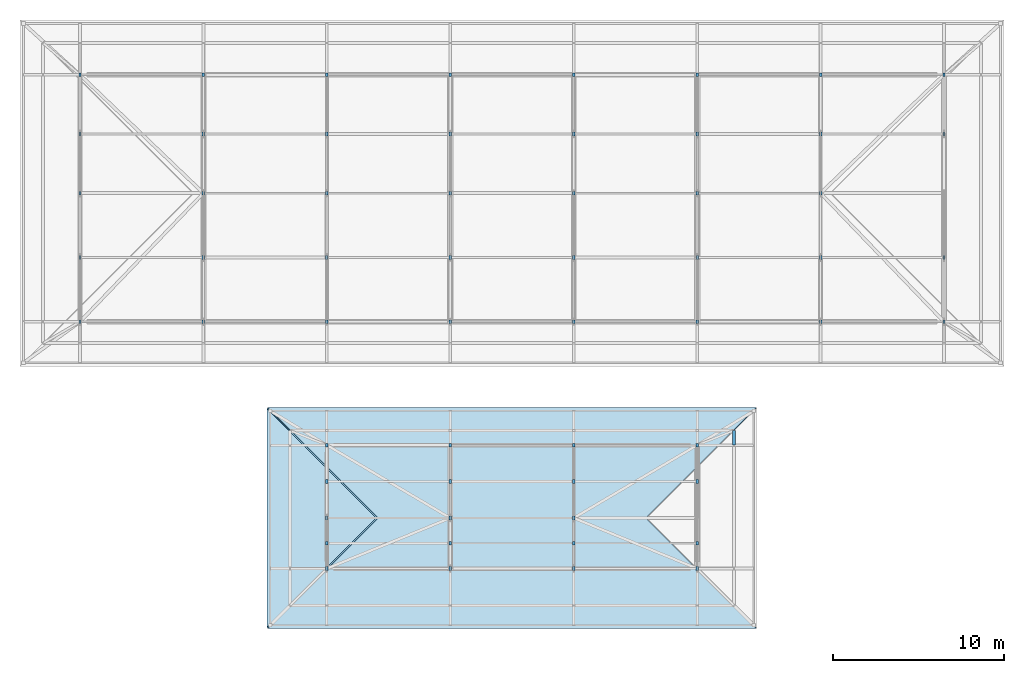
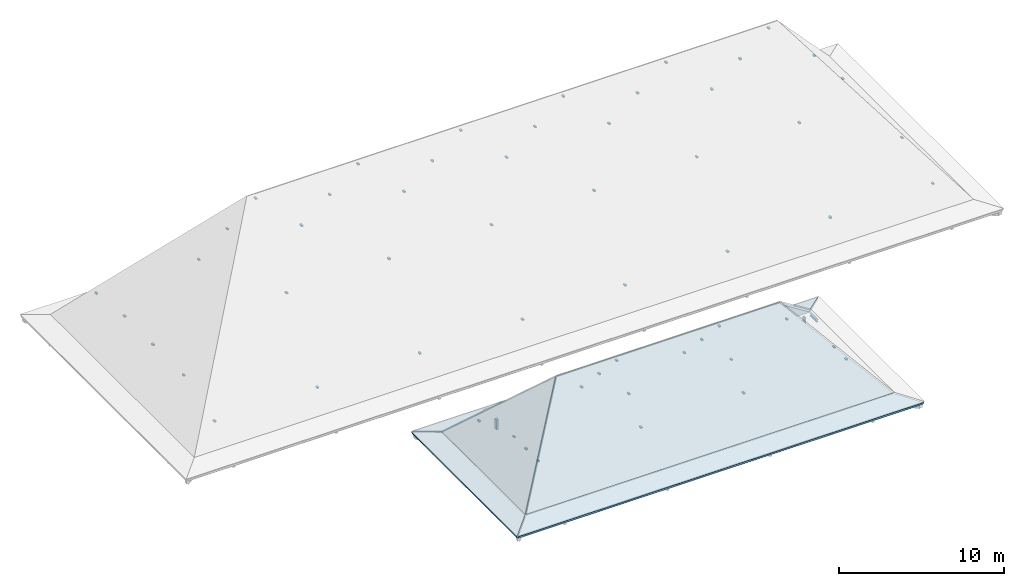
# One storey, part 7 of 12: 59 members, 6 slabs, 1 element without a shape of its own.
"""IFC4 building model written with IfcOpenShell, lengths in metres."""

from ifc_helpers import new_model, si_unit, direction, frame, origin, origin_2d, place, context, subcontext, project, spatial, polyline, rectangle, i_section, outline, extrude, material, layer, layer_set, material_profile, profile_set, type_object, element, aggregate, save


model = new_model("IFC4")

# Units and contexts
model_context = context("Model", 3, precision=1e-05, world=origin(), true_north=direction((0.0, 1.0)))
body_context = subcontext(model_context, "Body", "Model", "MODEL_VIEW")
ifc_project = project(units=[si_unit("LENGTHUNIT", "METRE"), si_unit("AREAUNIT", "SQUARE_METRE"), si_unit("VOLUMEUNIT", "CUBIC_METRE"), si_unit("PLANEANGLEUNIT", "RADIAN"), si_unit("MASSUNIT", "GRAM", prefix="KILO")], contexts=[model_context])

# Site, building, storey
site_placement = place(None, origin())
site = spatial("IfcSite", under=ifc_project, at=site_placement, CompositionType="ELEMENT")
building_placement = place(site_placement, origin())
building = spatial("IfcBuilding", under=site, at=building_placement, Name="Steenspoor Specialist Clinic", CompositionType="ELEMENT")
storey_placement = place(building_placement, frame((0.0, 0.0, 25.800048828125)))
storey = spatial("IfcBuildingStorey", under=building, at=storey_placement, Name="RF", CompositionType="ELEMENT", Elevation=25.800048828125)

# Members
ifc_material_1 = material(Name="Steel A992 Grade 50", Category="steel")
ifc_material_profile_1 = material_profile(ifc_material_1, i_section(OverallWidth=0.1650390625, OverallDepth=0.200927734375, WebThickness=0.006103515625, FlangeThickness=0.01025390625, at=origin_2d()), Name="W200X36")
ifc_profile_set_1 = profile_set([ifc_material_profile_1], Name="Steel A992 Grade 50")
member_type_1 = type_object("IfcMemberType", Name="MEM-PURLIN-W200", PredefinedType="PURLIN", material=ifc_profile_set_1)
member_1_placement = place(storey_placement, frame((97.75, 86.75, 0.01318359375), z_axis=(0.0, 1.0, 0.0), x_axis=(-1.0, 0.0, 0.0)))
element("IfcMember", 1, at=member_1_placement, inside=storey, type_object=member_type_1, Name="ROOF TRUSS Knuckle Purlin 393", PredefinedType="PURLIN", context=body_context, shape_type="SweptSolid", body=[
    extrude(i_section(OverallWidth=0.1650390625, OverallDepth=0.200927734375, WebThickness=0.006103515625, FlangeThickness=0.01025390625, at=origin_2d()), origin(), (0.0, 0.0, 1.0), 0.85009765625),
])
ifc_material_2 = material(Name="Glulam GL28h", Category="wood")
ifc_material_profile_2 = material_profile(ifc_material_2, rectangle(XDim=0.139892578125, YDim=0.219970703125, at=origin_2d()), Name="GL28H-140X220")
ifc_profile_set_2 = profile_set([ifc_material_profile_2], Name="Glulam GL28h")
member_type_2 = type_object("IfcMemberType", Name="MEM-RAFTER-GL220", PredefinedType="RAFTER", material=ifc_profile_set_2)
member_2_placement = place(storey_placement, frame((59.60009765625, 93.949951171875, 1.5439453125), z_axis=(0.0, 0.0, 1.0), x_axis=(1.0, 0.0, 0.0)))
element("IfcMember", 2, at=member_2_placement, inside=storey, type_object=member_type_2, Name="ROOF TRUSS Purlin Pack 323A", PredefinedType="RAFTER", context=body_context, shape_type="SweptSolid", body=[
    extrude(rectangle(XDim=0.139892578125, YDim=0.219970703125, at=origin_2d()), origin(), (0.0, 0.0, 1.0), 0.091064453125),
])
member_3_placement = place(storey_placement, frame((66.800048828125, 93.949951171875, 1.524658203125), z_axis=(0.0, 0.0, 1.0), x_axis=(1.0, 0.0, 0.0)))
element("IfcMember", 3, at=member_3_placement, inside=storey, type_object=member_type_2, Name="ROOF TRUSS Purlin Pack 323B", PredefinedType="RAFTER", context=body_context, shape_type="SweptSolid", body=[
    extrude(rectangle(XDim=0.139892578125, YDim=0.219970703125, at=origin_2d()), origin(), (0.0, 0.0, 1.0), 0.08935546875),
])
member_4_placement = place(storey_placement, frame((59.60009765625, 97.699951171875, 2.67822265625), z_axis=(0.0, 0.0, 1.0), x_axis=(1.0, 0.0, 0.0)))
element("IfcMember", 4, at=member_4_placement, inside=storey, type_object=member_type_2, Name="ROOF TRUSS Purlin Pack 324A", PredefinedType="RAFTER", context=body_context, shape_type="SweptSolid", body=[
    extrude(rectangle(XDim=0.139892578125, YDim=0.219970703125, at=origin_2d()), origin(), (0.0, 0.0, 1.0), 0.0947265625),
])
member_5_placement = place(storey_placement, frame((66.800048828125, 97.699951171875, 6.26611328125), z_axis=(0.0, 0.0, 1.0), x_axis=(1.0, 0.0, 0.0)))
element("IfcMember", 5, at=member_5_placement, inside=storey, type_object=member_type_2, Name="ROOF TRUSS Purlin Pack 324B", PredefinedType="RAFTER", context=body_context, shape_type="SweptSolid", body=[
    extrude(rectangle(XDim=0.139892578125, YDim=0.219970703125, at=origin_2d()), origin(), (0.0, 0.0, 1.0), 0.08544921875),
])
member_6_placement = place(storey_placement, frame((59.60009765625, 101.449951171875, 2.65771484375), z_axis=(0.0, 0.0, 1.0), x_axis=(1.0, 0.0, 0.0)))
element("IfcMember", 6, at=member_6_placement, inside=storey, type_object=member_type_2, Name="ROOF TRUSS Purlin Pack 325A", PredefinedType="RAFTER", context=body_context, shape_type="SweptSolid", body=[
    extrude(rectangle(XDim=0.139892578125, YDim=0.219970703125, at=origin_2d()), origin(), (0.0, 0.0, 1.0), 0.115234375),
])
member_7_placement = place(storey_placement, frame((59.60009765625, 104.89990234375, 2.681884765625), z_axis=(0.0, 0.0, 1.0), x_axis=(1.0, 0.0, 0.0)))
element("IfcMember", 7, at=member_7_placement, inside=storey, type_object=member_type_2, Name="ROOF TRUSS Purlin Pack 326A", PredefinedType="RAFTER", context=body_context, shape_type="SweptSolid", body=[
    extrude(rectangle(XDim=0.139892578125, YDim=0.219970703125, at=origin_2d()), origin(), (0.0, 0.0, 1.0), 0.091064453125),
])
member_8_placement = place(storey_placement, frame((66.800048828125, 104.89990234375, 6.6455078125), z_axis=(0.0, 0.0, 1.0), x_axis=(1.0, 0.0, 0.0)))
element("IfcMember", 8, at=member_8_placement, inside=storey, type_object=member_type_2, Name="ROOF TRUSS Purlin Pack 326B", PredefinedType="RAFTER", context=body_context, shape_type="SweptSolid", body=[
    extrude(rectangle(XDim=0.139892578125, YDim=0.219970703125, at=origin_2d()), origin(), (0.0, 0.0, 1.0), 0.08935546875),
])
member_9_placement = place(storey_placement, frame((59.60009765625, 108.35009765625, 2.298828125), z_axis=(0.0, 0.0, 1.0), x_axis=(1.0, 0.0, 0.0)))
element("IfcMember", 9, at=member_9_placement, inside=storey, type_object=member_type_2, Name="ROOF TRUSS Purlin Pack 327A", PredefinedType="RAFTER", context=body_context, shape_type="SweptSolid", body=[
    extrude(rectangle(XDim=0.139892578125, YDim=0.219970703125, at=origin_2d()), origin(), (0.0, 0.0, 1.0), 0.094970703125),
])
member_10_placement = place(storey_placement, frame((66.800048828125, 108.35009765625, 2.283447265625), z_axis=(0.0, 0.0, 1.0), x_axis=(1.0, 0.0, 0.0)))
element("IfcMember", 10, at=member_10_placement, inside=storey, type_object=member_type_2, Name="ROOF TRUSS Purlin Pack 327B", PredefinedType="RAFTER", context=body_context, shape_type="SweptSolid", body=[
    extrude(rectangle(XDim=0.139892578125, YDim=0.219970703125, at=origin_2d()), origin(), (0.0, 0.0, 1.0), 0.08544921875),
])
member_11_placement = place(storey_placement, frame((74.0, 93.949951171875, 1.540283203125), z_axis=(0.0, 0.0, 1.0), x_axis=(1.0, 0.0, 0.0)))
element("IfcMember", 11, at=member_11_placement, inside=storey, type_object=member_type_2, Name="ROOF TRUSS Purlin Pack 328B", PredefinedType="RAFTER", context=body_context, shape_type="SweptSolid", body=[
    extrude(rectangle(XDim=0.139892578125, YDim=0.219970703125, at=origin_2d()), origin(), (0.0, 0.0, 1.0), 0.0947265625),
])
member_12_placement = place(storey_placement, frame((74.0, 97.699951171875, 6.26123046875), z_axis=(0.0, 0.0, 1.0), x_axis=(1.0, 0.0, 0.0)))
element("IfcMember", 12, at=member_12_placement, inside=storey, type_object=member_type_2, Name="ROOF TRUSS Purlin Pack 329B", PredefinedType="RAFTER", context=body_context, shape_type="SweptSolid", body=[
    extrude(rectangle(XDim=0.139892578125, YDim=0.219970703125, at=origin_2d()), origin(), (0.0, 0.0, 1.0), 0.115234375),
])
member_13_placement = place(storey_placement, frame((66.800048828125, 101.449951171875, 11.007568359375), z_axis=(0.0, 0.0, 1.0), x_axis=(1.0, 0.0, 0.0)))
element("IfcMember", 13, at=member_13_placement, inside=storey, type_object=member_type_2, Name="ROOF TRUSS Purlin Pack 330A", PredefinedType="RAFTER", context=body_context, shape_type="SweptSolid", body=[
    extrude(rectangle(XDim=0.139892578125, YDim=0.219970703125, at=origin_2d()), origin(), (0.0, 0.0, 1.0), 0.08935546875),
])
member_14_placement = place(storey_placement, frame((74.0, 101.449951171875, 11.02685546875), z_axis=(0.0, 0.0, 1.0), x_axis=(1.0, 0.0, 0.0)))
element("IfcMember", 14, at=member_14_placement, inside=storey, type_object=member_type_2, Name="ROOF TRUSS Purlin Pack 330B", PredefinedType="RAFTER", context=body_context, shape_type="SweptSolid", body=[
    extrude(rectangle(XDim=0.139892578125, YDim=0.219970703125, at=origin_2d()), origin(), (0.0, 0.0, 1.0), 0.091064453125),
])
member_15_placement = place(storey_placement, frame((74.0, 104.89990234375, 6.6611328125), z_axis=(0.0, 0.0, 1.0), x_axis=(1.0, 0.0, 0.0)))
element("IfcMember", 15, at=member_15_placement, inside=storey, type_object=member_type_2, Name="ROOF TRUSS Purlin Pack 331B", PredefinedType="RAFTER", context=body_context, shape_type="SweptSolid", body=[
    extrude(rectangle(XDim=0.139892578125, YDim=0.219970703125, at=origin_2d()), origin(), (0.0, 0.0, 1.0), 0.0947265625),
])
member_16_placement = place(storey_placement, frame((74.0, 108.35009765625, 2.2783203125), z_axis=(0.0, 0.0, 1.0), x_axis=(1.0, 0.0, 0.0)))
element("IfcMember", 16, at=member_16_placement, inside=storey, type_object=member_type_2, Name="ROOF TRUSS Purlin Pack 332B", PredefinedType="RAFTER", context=body_context, shape_type="SweptSolid", body=[
    extrude(rectangle(XDim=0.139892578125, YDim=0.219970703125, at=origin_2d()), origin(), (0.0, 0.0, 1.0), 0.115478515625),
])
member_17_placement = place(storey_placement, frame((81.199951171875, 97.699951171875, 6.26611328125), z_axis=(0.0, 0.0, 1.0), x_axis=(1.0, 0.0, 0.0)))
element("IfcMember", 17, at=member_17_placement, inside=storey, type_object=member_type_2, Name="ROOF TRUSS Purlin Pack 334B", PredefinedType="RAFTER", context=body_context, shape_type="SweptSolid", body=[
    extrude(rectangle(XDim=0.139892578125, YDim=0.219970703125, at=origin_2d()), origin(), (0.0, 0.0, 1.0), 0.08935546875),
])
member_18_placement = place(storey_placement, frame((81.199951171875, 101.449951171875, 11.007568359375), z_axis=(0.0, 0.0, 1.0), x_axis=(1.0, 0.0, 0.0)))
element("IfcMember", 18, at=member_18_placement, inside=storey, type_object=member_type_2, Name="ROOF TRUSS Purlin Pack 335B", PredefinedType="RAFTER", context=body_context, shape_type="SweptSolid", body=[
    extrude(rectangle(XDim=0.139892578125, YDim=0.219970703125, at=origin_2d()), origin(), (0.0, 0.0, 1.0), 0.085693359375),
])
member_19_placement = place(storey_placement, frame((81.199951171875, 108.35009765625, 2.283447265625), z_axis=(0.0, 0.0, 1.0), x_axis=(1.0, 0.0, 0.0)))
element("IfcMember", 19, at=member_19_placement, inside=storey, type_object=member_type_2, Name="ROOF TRUSS Purlin Pack 337B", PredefinedType="RAFTER", context=body_context, shape_type="SweptSolid", body=[
    extrude(rectangle(XDim=0.139892578125, YDim=0.219970703125, at=origin_2d()), origin(), (0.0, 0.0, 1.0), 0.089111328125),
])
member_20_placement = place(storey_placement, frame((81.199951171875, 93.949951171875, 1.524658203125), z_axis=(0.0, 0.0, 1.0), x_axis=(1.0, 0.0, 0.0)))
element("IfcMember", 20, at=member_20_placement, inside=storey, type_object=member_type_2, Name="ROOF TRUSS Purlin Pack 338A", PredefinedType="RAFTER", context=body_context, shape_type="SweptSolid", body=[
    extrude(rectangle(XDim=0.139892578125, YDim=0.219970703125, at=origin_2d()), origin(), (0.0, 0.0, 1.0), 0.08935546875),
])
member_21_placement = place(storey_placement, frame((88.39990234375, 93.949951171875, 1.5439453125), z_axis=(0.0, 0.0, 1.0), x_axis=(1.0, 0.0, 0.0)))
element("IfcMember", 21, at=member_21_placement, inside=storey, type_object=member_type_2, Name="ROOF TRUSS Purlin Pack 338B", PredefinedType="RAFTER", context=body_context, shape_type="SweptSolid", body=[
    extrude(rectangle(XDim=0.139892578125, YDim=0.219970703125, at=origin_2d()), origin(), (0.0, 0.0, 1.0), 0.091064453125),
])
member_22_placement = place(storey_placement, frame((88.39990234375, 97.699951171875, 6.28173828125), z_axis=(0.0, 0.0, 1.0), x_axis=(1.0, 0.0, 0.0)))
element("IfcMember", 22, at=member_22_placement, inside=storey, type_object=member_type_2, Name="ROOF TRUSS Purlin Pack 339B", PredefinedType="RAFTER", context=body_context, shape_type="SweptSolid", body=[
    extrude(rectangle(XDim=0.139892578125, YDim=0.219970703125, at=origin_2d()), origin(), (0.0, 0.0, 1.0), 0.0947265625),
])
member_23_placement = place(storey_placement, frame((88.39990234375, 101.449951171875, 11.002685546875), z_axis=(0.0, 0.0, 1.0), x_axis=(1.0, 0.0, 0.0)))
element("IfcMember", 23, at=member_23_placement, inside=storey, type_object=member_type_2, Name="ROOF TRUSS Purlin Pack 340B", PredefinedType="RAFTER", context=body_context, shape_type="SweptSolid", body=[
    extrude(rectangle(XDim=0.139892578125, YDim=0.219970703125, at=origin_2d()), origin(), (0.0, 0.0, 1.0), 0.115234375),
])
member_24_placement = place(storey_placement, frame((81.199951171875, 104.89990234375, 6.6455078125), z_axis=(0.0, 0.0, 1.0), x_axis=(1.0, 0.0, 0.0)))
element("IfcMember", 24, at=member_24_placement, inside=storey, type_object=member_type_2, Name="ROOF TRUSS Purlin Pack 341A", PredefinedType="RAFTER", context=body_context, shape_type="SweptSolid", body=[
    extrude(rectangle(XDim=0.139892578125, YDim=0.219970703125, at=origin_2d()), origin(), (0.0, 0.0, 1.0), 0.08935546875),
])
member_25_placement = place(storey_placement, frame((88.39990234375, 104.89990234375, 6.664794921875), z_axis=(0.0, 0.0, 1.0), x_axis=(1.0, 0.0, 0.0)))
element("IfcMember", 25, at=member_25_placement, inside=storey, type_object=member_type_2, Name="ROOF TRUSS Purlin Pack 341B", PredefinedType="RAFTER", context=body_context, shape_type="SweptSolid", body=[
    extrude(rectangle(XDim=0.139892578125, YDim=0.219970703125, at=origin_2d()), origin(), (0.0, 0.0, 1.0), 0.091064453125),
])
member_26_placement = place(storey_placement, frame((88.39990234375, 108.35009765625, 2.298828125), z_axis=(0.0, 0.0, 1.0), x_axis=(1.0, 0.0, 0.0)))
element("IfcMember", 26, at=member_26_placement, inside=storey, type_object=member_type_2, Name="ROOF TRUSS Purlin Pack 342B", PredefinedType="RAFTER", context=body_context, shape_type="SweptSolid", body=[
    extrude(rectangle(XDim=0.139892578125, YDim=0.219970703125, at=origin_2d()), origin(), (0.0, 0.0, 1.0), 0.094970703125),
])
member_27_placement = place(storey_placement, frame((95.60009765625, 93.949951171875, 1.524658203125), z_axis=(0.0, 0.0, 1.0), x_axis=(1.0, 0.0, 0.0)))
element("IfcMember", 27, at=member_27_placement, inside=storey, type_object=member_type_2, Name="ROOF TRUSS Purlin Pack 343B", PredefinedType="RAFTER", context=body_context, shape_type="SweptSolid", body=[
    extrude(rectangle(XDim=0.139892578125, YDim=0.219970703125, at=origin_2d()), origin(), (0.0, 0.0, 1.0), 0.085693359375),
])
member_28_placement = place(storey_placement, frame((95.60009765625, 101.449951171875, 11.007568359375), z_axis=(0.0, 0.0, 1.0), x_axis=(1.0, 0.0, 0.0)))
element("IfcMember", 28, at=member_28_placement, inside=storey, type_object=member_type_2, Name="ROOF TRUSS Purlin Pack 345B", PredefinedType="RAFTER", context=body_context, shape_type="SweptSolid", body=[
    extrude(rectangle(XDim=0.139892578125, YDim=0.219970703125, at=origin_2d()), origin(), (0.0, 0.0, 1.0), 0.08935546875),
])
member_29_placement = place(storey_placement, frame((95.60009765625, 104.89990234375, 6.6455078125), z_axis=(0.0, 0.0, 1.0), x_axis=(1.0, 0.0, 0.0)))
element("IfcMember", 29, at=member_29_placement, inside=storey, type_object=member_type_2, Name="ROOF TRUSS Purlin Pack 346B", PredefinedType="RAFTER", context=body_context, shape_type="SweptSolid", body=[
    extrude(rectangle(XDim=0.139892578125, YDim=0.219970703125, at=origin_2d()), origin(), (0.0, 0.0, 1.0), 0.08544921875),
])
member_30_placement = place(storey_placement, frame((102.800048828125, 93.949951171875, 1.519775390625), z_axis=(0.0, 0.0, 1.0), x_axis=(1.0, 0.0, 0.0)))
element("IfcMember", 30, at=member_30_placement, inside=storey, type_object=member_type_2, Name="ROOF TRUSS Purlin Pack 348B", PredefinedType="RAFTER", context=body_context, shape_type="SweptSolid", body=[
    extrude(rectangle(XDim=0.139892578125, YDim=0.219970703125, at=origin_2d()), origin(), (0.0, 0.0, 1.0), 0.115234375),
])
member_31_placement = place(storey_placement, frame((95.60009765625, 97.699951171875, 6.26611328125), z_axis=(0.0, 0.0, 1.0), x_axis=(1.0, 0.0, 0.0)))
element("IfcMember", 31, at=member_31_placement, inside=storey, type_object=member_type_2, Name="ROOF TRUSS Purlin Pack 349A", PredefinedType="RAFTER", context=body_context, shape_type="SweptSolid", body=[
    extrude(rectangle(XDim=0.139892578125, YDim=0.219970703125, at=origin_2d()), origin(), (0.0, 0.0, 1.0), 0.08935546875),
])
member_32_placement = place(storey_placement, frame((102.800048828125, 97.699951171875, 6.285400390625), z_axis=(0.0, 0.0, 1.0), x_axis=(1.0, 0.0, 0.0)))
element("IfcMember", 32, at=member_32_placement, inside=storey, type_object=member_type_2, Name="ROOF TRUSS Purlin Pack 349B", PredefinedType="RAFTER", context=body_context, shape_type="SweptSolid", body=[
    extrude(rectangle(XDim=0.139892578125, YDim=0.219970703125, at=origin_2d()), origin(), (0.0, 0.0, 1.0), 0.091064453125),
])
member_33_placement = place(storey_placement, frame((102.800048828125, 101.449951171875, 11.023193359375), z_axis=(0.0, 0.0, 1.0), x_axis=(1.0, 0.0, 0.0)))
element("IfcMember", 33, at=member_33_placement, inside=storey, type_object=member_type_2, Name="ROOF TRUSS Purlin Pack 350B", PredefinedType="RAFTER", context=body_context, shape_type="SweptSolid", body=[
    extrude(rectangle(XDim=0.139892578125, YDim=0.219970703125, at=origin_2d()), origin(), (0.0, 0.0, 1.0), 0.0947265625),
])
member_34_placement = place(storey_placement, frame((102.800048828125, 104.89990234375, 6.640625), z_axis=(0.0, 0.0, 1.0), x_axis=(1.0, 0.0, 0.0)))
element("IfcMember", 34, at=member_34_placement, inside=storey, type_object=member_type_2, Name="ROOF TRUSS Purlin Pack 351B", PredefinedType="RAFTER", context=body_context, shape_type="SweptSolid", body=[
    extrude(rectangle(XDim=0.139892578125, YDim=0.219970703125, at=origin_2d()), origin(), (0.0, 0.0, 1.0), 0.115234375),
])
member_35_placement = place(storey_placement, frame((95.60009765625, 108.35009765625, 2.283447265625), z_axis=(0.0, 0.0, 1.0), x_axis=(1.0, 0.0, 0.0)))
element("IfcMember", 35, at=member_35_placement, inside=storey, type_object=member_type_2, Name="ROOF TRUSS Purlin Pack 352A", PredefinedType="RAFTER", context=body_context, shape_type="SweptSolid", body=[
    extrude(rectangle(XDim=0.139892578125, YDim=0.219970703125, at=origin_2d()), origin(), (0.0, 0.0, 1.0), 0.089111328125),
])
member_36_placement = place(storey_placement, frame((102.800048828125, 108.35009765625, 2.302734375), z_axis=(0.0, 0.0, 1.0), x_axis=(1.0, 0.0, 0.0)))
element("IfcMember", 36, at=member_36_placement, inside=storey, type_object=member_type_2, Name="ROOF TRUSS Purlin Pack 352B", PredefinedType="RAFTER", context=body_context, shape_type="SweptSolid", body=[
    extrude(rectangle(XDim=0.139892578125, YDim=0.219970703125, at=origin_2d()), origin(), (0.0, 0.0, 1.0), 0.091064453125),
])
member_37_placement = place(storey_placement, frame((110.0, 93.949951171875, 1.524658203125), z_axis=(0.0, 0.0, 1.0), x_axis=(1.0, 0.0, 0.0)))
element("IfcMember", 37, at=member_37_placement, inside=storey, type_object=member_type_2, Name="ROOF TRUSS Purlin Pack 353B", PredefinedType="RAFTER", context=body_context, shape_type="SweptSolid", body=[
    extrude(rectangle(XDim=0.139892578125, YDim=0.219970703125, at=origin_2d()), origin(), (0.0, 0.0, 1.0), 0.08935546875),
])
member_38_placement = place(storey_placement, frame((110.0, 97.699951171875, 2.66259765625), z_axis=(0.0, 0.0, 1.0), x_axis=(1.0, 0.0, 0.0)))
element("IfcMember", 38, at=member_38_placement, inside=storey, type_object=member_type_2, Name="ROOF TRUSS Purlin Pack 354B", PredefinedType="RAFTER", context=body_context, shape_type="SweptSolid", body=[
    extrude(rectangle(XDim=0.139892578125, YDim=0.219970703125, at=origin_2d()), origin(), (0.0, 0.0, 1.0), 0.08544921875),
])
member_39_placement = place(storey_placement, frame((110.0, 104.89990234375, 2.66259765625), z_axis=(0.0, 0.0, 1.0), x_axis=(1.0, 0.0, 0.0)))
element("IfcMember", 39, at=member_39_placement, inside=storey, type_object=member_type_2, Name="ROOF TRUSS Purlin Pack 356B", PredefinedType="RAFTER", context=body_context, shape_type="SweptSolid", body=[
    extrude(rectangle(XDim=0.139892578125, YDim=0.219970703125, at=origin_2d()), origin(), (0.0, 0.0, 1.0), 0.08935546875),
])
member_40_placement = place(storey_placement, frame((110.0, 108.35009765625, 2.283447265625), z_axis=(0.0, 0.0, 1.0), x_axis=(1.0, 0.0, 0.0)))
element("IfcMember", 40, at=member_40_placement, inside=storey, type_object=member_type_2, Name="ROOF TRUSS Purlin Pack 357B", PredefinedType="RAFTER", context=body_context, shape_type="SweptSolid", body=[
    extrude(rectangle(XDim=0.139892578125, YDim=0.219970703125, at=origin_2d()), origin(), (0.0, 0.0, 1.0), 0.08544921875),
])
member_41_placement = place(storey_placement, frame((74.0, 79.550048828125, 2.284912109375), z_axis=(0.0, 0.0, 1.0), x_axis=(1.0, 0.0, 0.0)))
element("IfcMember", 41, at=member_41_placement, inside=storey, type_object=member_type_2, Name="ROOF TRUSS Purlin Pack 394A", PredefinedType="RAFTER", context=body_context, shape_type="SweptSolid", body=[
    extrude(rectangle(XDim=0.139892578125, YDim=0.219970703125, at=origin_2d()), origin(), (0.0, 0.0, 1.0), 0.08935546875),
])
member_42_placement = place(storey_placement, frame((81.199951171875, 79.550048828125, 2.259765625), z_axis=(0.0, 0.0, 1.0), x_axis=(1.0, 0.0, 0.0)))
element("IfcMember", 42, at=member_42_placement, inside=storey, type_object=member_type_2, Name="ROOF TRUSS Purlin Pack 394B", PredefinedType="RAFTER", context=body_context, shape_type="SweptSolid", body=[
    extrude(rectangle(XDim=0.139892578125, YDim=0.219970703125, at=origin_2d()), origin(), (0.0, 0.0, 1.0), 0.09521484375),
])
member_43_placement = place(storey_placement, frame((74.0, 81.02490234375, 2.264404296875), z_axis=(0.0, 0.0, 1.0), x_axis=(1.0, 0.0, 0.0)))
element("IfcMember", 43, at=member_43_placement, inside=storey, type_object=member_type_2, Name="ROOF TRUSS Purlin Pack 395A", PredefinedType="RAFTER", context=body_context, shape_type="SweptSolid", body=[
    extrude(rectangle(XDim=0.139892578125, YDim=0.219970703125, at=origin_2d()), origin(), (0.0, 0.0, 1.0), 0.10986328125),
])
member_44_placement = place(storey_placement, frame((74.0, 82.5, 2.288818359375), z_axis=(0.0, 0.0, 1.0), x_axis=(1.0, 0.0, 0.0)))
element("IfcMember", 44, at=member_44_placement, inside=storey, type_object=member_type_2, Name="ROOF TRUSS Purlin Pack 396A", PredefinedType="RAFTER", context=body_context, shape_type="SweptSolid", body=[
    extrude(rectangle(XDim=0.139892578125, YDim=0.219970703125, at=origin_2d()), origin(), (0.0, 0.0, 1.0), 0.08544921875),
])
member_45_placement = place(storey_placement, frame((81.199951171875, 82.5, 5.420166015625), z_axis=(0.0, 0.0, 1.0), x_axis=(1.0, 0.0, 0.0)))
element("IfcMember", 45, at=member_45_placement, inside=storey, type_object=member_type_2, Name="ROOF TRUSS Purlin Pack 396B", PredefinedType="RAFTER", context=body_context, shape_type="SweptSolid", body=[
    extrude(rectangle(XDim=0.139892578125, YDim=0.219970703125, at=origin_2d()), origin(), (0.0, 0.0, 1.0), 0.098876953125),
])
member_46_placement = place(storey_placement, frame((74.0, 84.625, 1.60791015625), z_axis=(0.0, 0.0, 1.0), x_axis=(1.0, 0.0, 0.0)))
element("IfcMember", 46, at=member_46_placement, inside=storey, type_object=member_type_2, Name="ROOF TRUSS Purlin Pack 397A", PredefinedType="RAFTER", context=body_context, shape_type="SweptSolid", body=[
    extrude(rectangle(XDim=0.139892578125, YDim=0.219970703125, at=origin_2d()), origin(), (0.0, 0.0, 1.0), 0.7470703125),
])
member_47_placement = place(storey_placement, frame((81.199951171875, 84.625, 3.1435546875), z_axis=(0.0, 0.0, 1.0), x_axis=(1.0, 0.0, 0.0)))
element("IfcMember", 47, at=member_47_placement, inside=storey, type_object=member_type_2, Name="ROOF TRUSS Purlin Pack 397B", PredefinedType="RAFTER", context=body_context, shape_type="SweptSolid", body=[
    extrude(rectangle(XDim=0.139892578125, YDim=0.219970703125, at=origin_2d()), origin(), (0.0, 0.0, 1.0), 0.09521484375),
])
for number, where, z_axis, x_axis, name in (
    (48, (74.0, 86.75, 0.871826171875), (0.0, 0.0, 1.0), (1.0, 0.0, 0.0), "ROOF TRUSS Purlin Pack 398A"),
    (49, (88.39990234375, 79.550048828125, 2.264404296875), (0.0, 0.0, 1.0), (1.0, 0.0, 0.0), "ROOF TRUSS Purlin Pack 399B"),
):
    element("IfcMember", number, at=place(storey_placement, frame(where, z_axis=z_axis, x_axis=x_axis)), inside=storey, type_object=member_type_2, Name=name, PredefinedType="RAFTER", context=body_context, shape_type="SweptSolid", body=[
        extrude(rectangle(XDim=0.139892578125, YDim=0.219970703125, at=origin_2d()), origin(), (0.0, 0.0, 1.0), 0.10986328125),
    ])
member_48_placement = place(storey_placement, frame((81.199951171875, 81.02490234375, 3.83984375), z_axis=(0.0, 0.0, 1.0), x_axis=(1.0, 0.0, 0.0)))
element("IfcMember", 50, at=member_48_placement, inside=storey, type_object=member_type_2, Name="ROOF TRUSS Purlin Pack 400A", PredefinedType="RAFTER", context=body_context, shape_type="SweptSolid", body=[
    extrude(rectangle(XDim=0.139892578125, YDim=0.219970703125, at=origin_2d()), origin(), (0.0, 0.0, 1.0), 0.09912109375),
])
member_49_placement = place(storey_placement, frame((88.39990234375, 81.02490234375, 3.868896484375), z_axis=(0.0, 0.0, 1.0), x_axis=(1.0, 0.0, 0.0)))
element("IfcMember", 51, at=member_49_placement, inside=storey, type_object=member_type_2, Name="ROOF TRUSS Purlin Pack 400B", PredefinedType="RAFTER", context=body_context, shape_type="SweptSolid", body=[
    extrude(rectangle(XDim=0.139892578125, YDim=0.219970703125, at=origin_2d()), origin(), (0.0, 0.0, 1.0), 0.08544921875),
])
member_50_placement = place(storey_placement, frame((88.39990234375, 82.5, 5.445068359375), z_axis=(0.0, 0.0, 1.0), x_axis=(1.0, 0.0, 0.0)))
element("IfcMember", 52, at=member_50_placement, inside=storey, type_object=member_type_2, Name="ROOF TRUSS Purlin Pack 401B", PredefinedType="RAFTER", context=body_context, shape_type="SweptSolid", body=[
    extrude(rectangle(XDim=0.139892578125, YDim=0.219970703125, at=origin_2d()), origin(), (0.0, 0.0, 1.0), 0.08935546875),
])
member_51_placement = place(storey_placement, frame((88.39990234375, 84.625, 3.148193359375), z_axis=(0.0, 0.0, 1.0), x_axis=(1.0, 0.0, 0.0)))
element("IfcMember", 53, at=member_51_placement, inside=storey, type_object=member_type_2, Name="ROOF TRUSS Purlin Pack 402B", PredefinedType="RAFTER", context=body_context, shape_type="SweptSolid", body=[
    extrude(rectangle(XDim=0.139892578125, YDim=0.219970703125, at=origin_2d()), origin(), (0.0, 0.0, 1.0), 0.10986328125),
])
member_52_placement = place(storey_placement, frame((81.199951171875, 86.75, 0.8671875), z_axis=(0.0, 0.0, 1.0), x_axis=(1.0, 0.0, 0.0)))
element("IfcMember", 54, at=member_52_placement, inside=storey, type_object=member_type_2, Name="ROOF TRUSS Purlin Pack 403A", PredefinedType="RAFTER", context=body_context, shape_type="SweptSolid", body=[
    extrude(rectangle(XDim=0.139892578125, YDim=0.219970703125, at=origin_2d()), origin(), (0.0, 0.0, 1.0), 0.098876953125),
])
member_53_placement = place(storey_placement, frame((88.39990234375, 86.75, 0.89599609375), z_axis=(0.0, 0.0, 1.0), x_axis=(1.0, 0.0, 0.0)))
element("IfcMember", 55, at=member_53_placement, inside=storey, type_object=member_type_2, Name="ROOF TRUSS Purlin Pack 403B", PredefinedType="RAFTER", context=body_context, shape_type="SweptSolid", body=[
    extrude(rectangle(XDim=0.139892578125, YDim=0.219970703125, at=origin_2d()), origin(), (0.0, 0.0, 1.0), 0.085693359375),
])
member_54_placement = place(storey_placement, frame((95.60009765625, 79.550048828125, 2.259765625), z_axis=(0.0, 0.0, 1.0), x_axis=(1.0, 0.0, 0.0)))
element("IfcMember", 56, at=member_54_placement, inside=storey, type_object=member_type_2, Name="ROOF TRUSS Purlin Pack 404B", PredefinedType="RAFTER", context=body_context, shape_type="SweptSolid", body=[
    extrude(rectangle(XDim=0.139892578125, YDim=0.219970703125, at=origin_2d()), origin(), (0.0, 0.0, 1.0), 0.098876953125),
])
member_55_placement = place(storey_placement, frame((95.60009765625, 81.02490234375, 2.259765625), z_axis=(0.0, 0.0, 1.0), x_axis=(1.0, 0.0, 0.0)))
element("IfcMember", 57, at=member_55_placement, inside=storey, type_object=member_type_2, Name="ROOF TRUSS Purlin Pack 405B", PredefinedType="RAFTER", context=body_context, shape_type="SweptSolid", body=[
    extrude(rectangle(XDim=0.139892578125, YDim=0.219970703125, at=origin_2d()), origin(), (0.0, 0.0, 1.0), 0.09521484375),
])
member_56_placement = place(storey_placement, frame((95.60009765625, 84.625, 1.5634765625), z_axis=(0.0, 0.0, 1.0), x_axis=(1.0, 0.0, 0.0)))
element("IfcMember", 58, at=member_56_placement, inside=storey, type_object=member_type_2, Name="ROOF TRUSS Purlin Pack 407B", PredefinedType="RAFTER", context=body_context, shape_type="SweptSolid", body=[
    extrude(rectangle(XDim=0.139892578125, YDim=0.219970703125, at=origin_2d()), origin(), (0.0, 0.0, 1.0), 0.795166015625),
])
member_57_placement = place(storey_placement, frame((95.60009765625, 86.75, 0.8671875), z_axis=(0.0, 0.0, 1.0), x_axis=(1.0, 0.0, 0.0)))
element("IfcMember", 59, at=member_57_placement, inside=storey, type_object=member_type_2, Name="ROOF TRUSS Purlin Pack 408B", PredefinedType="RAFTER", context=body_context, shape_type="SweptSolid", body=[
    extrude(rectangle(XDim=0.139892578125, YDim=0.219970703125, at=origin_2d()), origin(), (0.0, 0.0, 1.0), 0.094970703125),
])

# Roof, slabs
ifc_material_3 = material(Name="Extruded terracotta clay roof tile", Category="masonry")
roof_type = type_object("IfcRoofType", Name="ROOF-HIP-TIER", PredefinedType="HIP_ROOF", material=ifc_material_3)
roof_placement = place(storey_placement, origin())
roof = element("IfcRoof", 60, at=roof_placement, inside=storey, type_object=roof_type, Name="Tiered Hipped Roof V4S", PredefinedType="HIP_ROOF")
ifc_material_4 = material(Name="Concrete C35/45", Category="concrete")
ifc_layer = layer(ifc_material_4, 0.14990234375)
ifc_layer_set = layer_set([ifc_layer], Name="Concrete C35/45")
slab_type = type_object("IfcSlabType", Name="SL-ROOF-150", PredefinedType="ROOF", material=ifc_layer_set)
slab_1_placement = place(storey_placement, frame((71.900390625, 77.39111328125, 0.33447265625), z_axis=(0.0, -0.241995280227, 0.970277426486), x_axis=(-0.696360507135, -0.696360507135, -0.173678116653)))
slab_1 = element("IfcSlab", 61, at=slab_1_placement, type_object=slab_type, Name="Hipped Roof Slab RSLAB-V4S-SKS", PredefinedType="ROOF", context=body_context, shape_type="SweptSolid", body=[
    extrude(outline(polyline([(0.0, 0.0), (1.9258192263683114, -5.551115123125783e-17), (-17.907364465504788, 20.44073493877441), (-17.965625056403685, 18.515967254305686), (0.0, 0.0)])), origin(), (0.0, 0.0, -1.0), 0.14990234375),
])
slab_2_placement = place(storey_placement, frame((97.69970703125, 87.60888671875, 0.33447265625), z_axis=(0.0, 0.241995280227, 0.970277426486), x_axis=(0.696295200328, 0.696421983868, -0.173693449463)))
slab_2 = element("IfcSlab", 62, at=slab_2_placement, type_object=slab_type, Name="Hipped Roof Slab RSLAB-V4S-SKN", PredefinedType="ROOF", context=body_context, shape_type="SweptSolid", body=[
    extrude(outline(polyline([(0.0, 0.0), (1.9256492244505445, -5.551115123125783e-17), (-17.905674451098534, 20.442539506343643), (-17.963940185411953, 18.517601897782065), (0.0, 0.0)])), origin(), (0.0, 0.0, -1.0), 0.14990234375),
])
slab_3_placement = place(storey_placement, frame((71.841064453125, 87.549560546875, 0.33447265625), z_axis=(-0.241995280227, 0.0, 0.970277426486), x_axis=(-0.696360507135, 0.696360507135, -0.173678116653)))
slab_3 = element("IfcSlab", 63, at=slab_3_placement, type_object=slab_type, Name="Hipped Roof Slab RSLAB-V4S-SKW", PredefinedType="ROOF", context=body_context, shape_type="SweptSolid", body=[
    extrude(outline(polyline([(0.0, 0.0), (1.9258192263683114, -5.551115123125783e-17), (-6.974538505456411, 9.17300298746533), (-7.0326290864658745, 7.248060085182817), (0.0, 0.0)])), origin(), (0.0, 0.0, -1.0), 0.14990234375),
])
slab_4_placement = place(storey_placement, frame((97.681640625, 77.408935546875, 0.34619140625), z_axis=(0.0, -0.73099052721, 0.682387609156), x_axis=(-0.563657868481, 0.563657868481, 0.603804285012)))
slab_4 = element("IfcSlab", 64, at=slab_4_placement, type_object=slab_type, Name="Hipped Roof Slab RSLAB-V4S-S", PredefinedType="ROOF", context=body_context, shape_type="SweptSolid", body=[
    extrude(outline(polyline([(0.0, 0.0), (8.957689669499036, -4.440892098500626e-16), (17.787549808925263, 12.939654854449643), (14.521621149740385, 21.2806049742173), (0.0, 0.0)])), origin(), (0.0, 0.0, -1.0), 0.14990234375),
])
slab_5_placement = place(storey_placement, frame((71.91845703125, 87.591064453125, 0.34619140625), z_axis=(0.0, 0.73099052721, 0.682387609156), x_axis=(0.563639272336, -0.56366652762, 0.603813560896)))
slab_5 = element("IfcSlab", 65, at=slab_5_placement, type_object=slab_type, Name="Hipped Roof Slab RSLAB-V4S-N", PredefinedType="ROOF", context=body_context, shape_type="SweptSolid", body=[
    extrude(outline(polyline([(0.0, 0.0), (8.957552059984758, 0.0), (17.787120885528616, 12.93985363862723), (14.521142053835286, 21.28093189542238), (0.0, 0.0)])), origin(), (0.0, 0.0, -1.0), 0.14990234375),
])
slab_6_placement = place(storey_placement, frame((76.890625, 82.5, 5.736328125), z_axis=(-0.7309914054, 0.0, 0.682386668416), x_axis=(-0.563666027246, 0.563638678093, -0.603814582704)))
slab_6 = element("IfcSlab", 66, at=slab_6_placement, type_object=slab_type, Name="Hipped Roof Slab RSLAB-V4S-W", PredefinedType="ROOF", context=body_context, shape_type="SweptSolid", body=[
    extrude(outline(polyline([(0.0, 0.0), (8.92680778693915, 0.0), (3.25491837442518, 8.312244200021244), (0.0, 0.0)])), origin(), (0.0, 0.0, -1.0), 0.14990234375),
])
aggregate(roof, [slab_1, slab_2, slab_3, slab_4, slab_5, slab_6])

save(model, "model.ifc")
